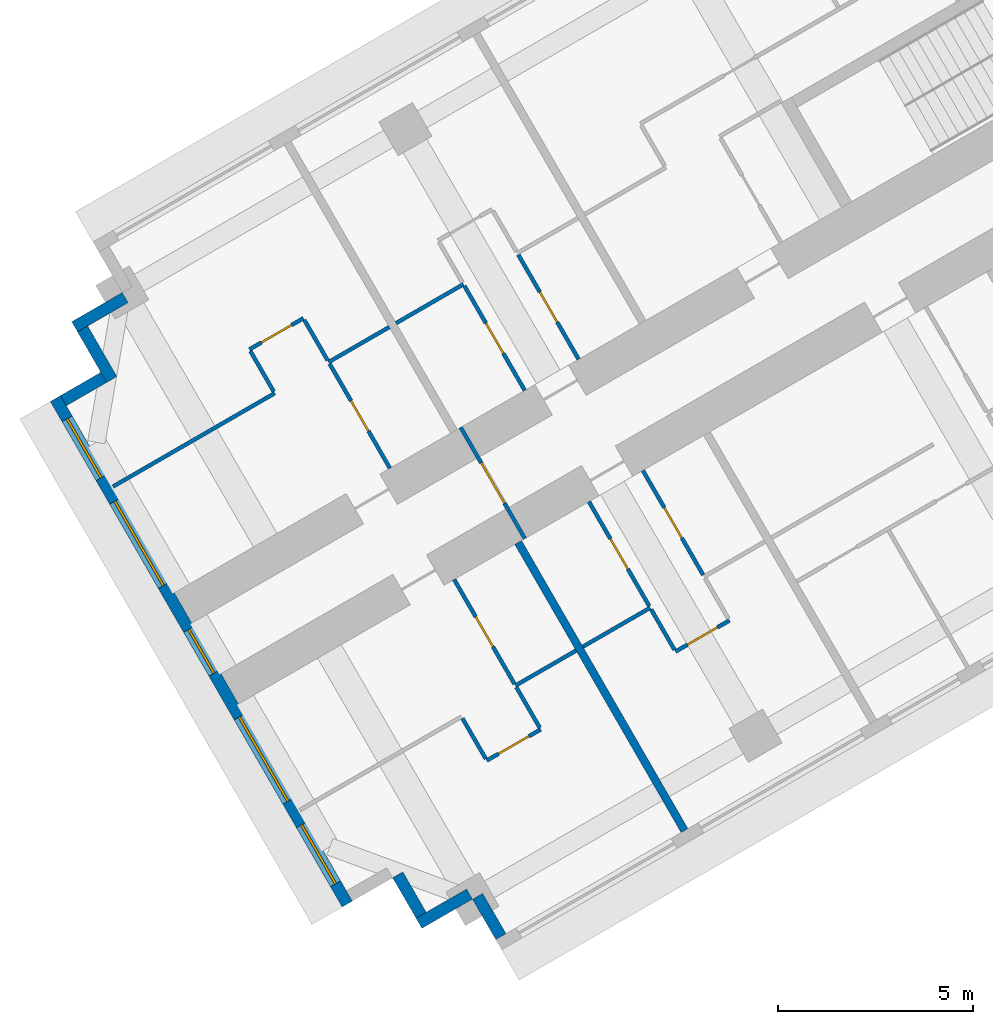
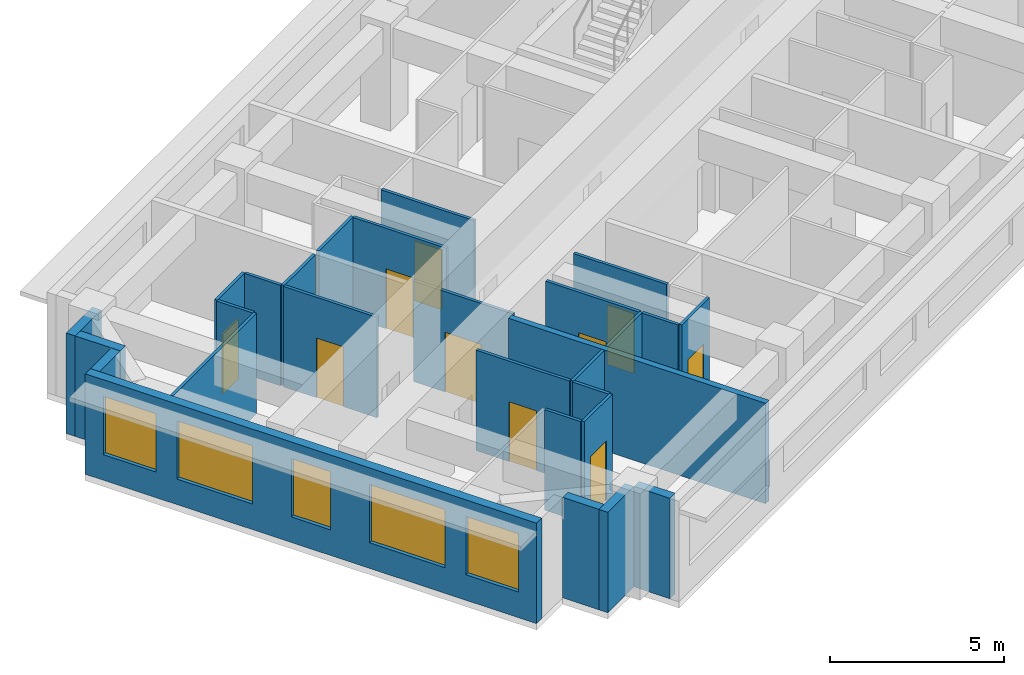
# One storey, part 3 of 15: 28 walls, 10 doors, 5 windows, 15 openings.
"""IFC4 building model written with IfcOpenShell, lengths in metres."""

from ifc_helpers import new_model, si_unit, direction, frame, frame_2d, origin, place, context, subcontext, project, spatial, rectangle, extrude, material, layer, layer_set, type_object, element, fill, save


model = new_model("IFC4")

# Units and contexts
model_context = context("Model", 3, precision=1e-05, world=origin(), true_north=direction((0.0, 1.0)))
body_context = subcontext(model_context, "Body", "Model", "MODEL_VIEW")
ifc_project = project(units=[si_unit("LENGTHUNIT", "METRE"), si_unit("AREAUNIT", "SQUARE_METRE"), si_unit("VOLUMEUNIT", "CUBIC_METRE"), si_unit("PLANEANGLEUNIT", "RADIAN"), si_unit("MASSUNIT", "GRAM", prefix="KILO")], contexts=[model_context])

# Site, building, storey
site_placement = place(None, origin())
site = spatial("IfcSite", under=ifc_project, at=site_placement, CompositionType="ELEMENT")
building_placement = place(site_placement, origin())
building = spatial("IfcBuilding", under=site, at=building_placement, Name="Impinga Residences", CompositionType="ELEMENT")
storey_placement = place(building_placement, frame((0.0, 0.0, 109.75)))
storey = spatial("IfcBuildingStorey", under=building, at=storey_placement, Name="L26", CompositionType="ELEMENT", Elevation=109.75)

# Wall, opening, door
ifc_material_1 = material(Name="Concrete blockwork", Category="masonry")
ifc_layer_1 = layer(ifc_material_1, 0.10009765625)
ifc_layer_set_1 = layer_set([ifc_layer_1], Name="CP1 core room partition, blockwork 100")
wall_type_1 = type_object("IfcWallType", Name="CP1 core room partition, blockwork 100", PredefinedType="PARTITIONING", material=ifc_layer_set_1)
wall_1_placement = place(storey_placement, frame((-33.150390625, -21.044677734375, 0.0), z_axis=(0.0, 0.0, 1.0), x_axis=(-0.50002983664, 0.866008176907, 0.0)))
wall_1 = element("IfcWall", 1, at=wall_1_placement, inside=storey, type_object=wall_type_1, Name="Core room partition, blockwork L26:W:PLB", PredefinedType="PARTITIONING", context=body_context, shape_type="SweptSolid", body=[
    extrude(rectangle(XDim=3.300048828125, YDim=0.10009765625, at=frame_2d((1.64990234375, 0.0))), origin(), (0.0, 0.0, 1.0), 3.530029296875),
])
opening_1_placement = place(wall_1_placement, frame((1.050048828125, 0.0, 0.0)))
opening_1 = element("IfcOpeningElement", 2, at=opening_1_placement, cuts=wall_1, Name="Opening D3", PredefinedType="OPENING", context=body_context, shape_type="SweptSolid", body=[
    extrude(rectangle(XDim=1.199951171875, YDim=2.10009765625, at=frame_2d((0.60009765625, 1.050048828125))), frame((0.0, 0.06005859375, 0.0), z_axis=(0.0, -1.0, 0.0), x_axis=(1.0, 0.0, 0.0)), (0.0, 0.0, 1.0), 0.1201171875),
])
ifc_material_2 = material(Name="Timber door set", Category="wood")
door_type_1 = type_object("IfcDoorType", Name="D3 room door, leaf and a half 1200x2100", OperationType="DOUBLE_SWING_LEFT", PredefinedType="DOOR", material=ifc_material_2)
door_1_placement = place(opening_1_placement, origin())
door_1 = element("IfcDoor", 3, at=door_1_placement, inside=storey, type_object=door_type_1, Name="Private lobby door W", OperationType="DOUBLE_SWING_LEFT", OverallHeight=2.10009765625, OverallWidth=1.199951171875, PredefinedType="DOOR", context=body_context, shape_type="SweptSolid", body=[
    extrude(rectangle(XDim=1.199951171875, YDim=2.10009765625, at=frame_2d((0.60009765625, 1.050048828125))), frame((0.0, 0.02490234375, 0.0), z_axis=(0.0, -1.0, 0.0), x_axis=(1.0, 0.0, 0.0)), (0.0, 0.0, 1.0), 0.050048828125),
])
fill(opening_1, door_1)

# Walls
ifc_material_3 = material(Name="Terracotta rainscreen on blockwork", Category="masonry")
ifc_layer_2 = layer(ifc_material_3, 0.300048828125)
ifc_layer_set_2 = layer_set([ifc_layer_2], Name="EW1 external wall, terracotta rainscreen on blockwork 300")
wall_type_2 = type_object("IfcWallType", Name="EW1 external wall, terracotta rainscreen on blockwork 300", PredefinedType="SOLIDWALL", material=ifc_layer_set_2)
wall_2_placement = place(storey_placement, frame((-33.7685546875, -31.274169921875, 0.0), z_axis=(0.0, 0.0, 1.0), x_axis=(-0.499940577336, 0.866059708757, 0.0)))
element("IfcWall", 4, at=wall_2_placement, inside=storey, type_object=wall_type_2, Name="External wall EW1 L26", PredefinedType="SOLIDWALL", context=body_context, shape_type="SweptSolid", body=[
    extrude(rectangle(XDim=1.195068359375, YDim=0.300048828125, at=frame_2d((0.59765625, 0.0))), origin(), (0.0, 0.0, 1.0), 3.530029296875),
])
wall_3_placement = place(storey_placement, frame((-34.573486328125, -30.18017578125, 0.0), z_axis=(0.0, 0.0, 1.0), x_axis=(-0.866031096941, -0.499990139034, 0.0)))
element("IfcWall", 5, at=wall_3_placement, inside=storey, type_object=wall_type_2, Name="External wall EW1 L26", PredefinedType="SOLIDWALL", context=body_context, shape_type="SweptSolid", body=[
    extrude(rectangle(XDim=1.5, YDim=0.300048828125, at=frame_2d((0.75, 0.0))), origin(), (0.0, 0.0, 1.0), 3.530029296875),
])
wall_4_placement = place(storey_placement, frame((-35.817626953125, -30.72509765625, 0.0), z_axis=(0.0, 0.0, 1.0), x_axis=(-0.499969057507, 0.866043267704, 0.0)))
element("IfcWall", 6, at=wall_4_placement, inside=storey, type_object=wall_type_2, Name="External wall EW1 L26", PredefinedType="SOLIDWALL", context=body_context, shape_type="SweptSolid", body=[
    extrude(rectangle(XDim=1.19970703125, YDim=0.300048828125, at=frame_2d((0.599853515625, 0.0))), origin(), (0.0, 0.0, 1.0), 3.530029296875),
])

# Wall, openings, windows
wall_5_placement = place(storey_placement, frame((-37.716552734375, -30.43603515625, 0.0), z_axis=(0.0, 0.0, 1.0), x_axis=(-0.499997186618, 0.866027028085, 0.0)))
wall_5 = element("IfcWall", 7, at=wall_5_placement, inside=storey, type_object=wall_type_2, Name="External wall EW1 L26", PredefinedType="SOLIDWALL", context=body_context, shape_type="SweptSolid", body=[
    extrude(rectangle(XDim=15.0, YDim=0.300048828125, at=frame_2d((7.5, 0.0))), origin(), (0.0, 0.0, 1.0), 3.530029296875),
])
opening_2_placement = place(wall_5_placement, frame((0.60009765625, 0.0, 0.89990234375)))
opening_2 = element("IfcOpeningElement", 8, at=opening_2_placement, cuts=wall_5, Name="Opening W1", PredefinedType="OPENING", context=body_context, shape_type="SweptSolid", body=[
    extrude(rectangle(XDim=1.75, YDim=2.050048828125, at=frame_2d((0.875, 1.02490234375))), frame((0.0, 0.159912109375, 0.0), z_axis=(0.0, -1.0, 0.0), x_axis=(1.0, 0.0, 0.0)), (0.0, 0.0, 1.0), 0.320068359375),
])
opening_3_placement = place(wall_5_placement, frame((3.050048828125, 0.0, 0.89990234375)))
opening_3 = element("IfcOpeningElement", 9, at=opening_3_placement, cuts=wall_5, Name="Opening W2", PredefinedType="OPENING", context=body_context, shape_type="SweptSolid", body=[
    extrude(rectangle(XDim=2.5, YDim=2.050048828125, at=frame_2d((1.25, 1.02490234375))), frame((0.0, 0.159912109375, 0.0), z_axis=(0.0, -1.0, 0.0), x_axis=(1.0, 0.0, 0.0)), (0.0, 0.0, 1.0), 0.320068359375),
])
opening_4_placement = place(wall_5_placement, frame((6.85009765625, 0.0, 0.89990234375)))
opening_4 = element("IfcOpeningElement", 10, at=opening_4_placement, cuts=wall_5, Name="Opening W17", PredefinedType="OPENING", context=body_context, shape_type="SweptSolid", body=[
    extrude(rectangle(XDim=1.300048828125, YDim=2.050048828125, at=frame_2d((0.64990234375, 1.02490234375))), frame((0.0, 0.159912109375, 0.0), z_axis=(0.0, -1.0, 0.0), x_axis=(1.0, 0.0, 0.0)), (0.0, 0.0, 1.0), 0.320068359375),
])
opening_5_placement = place(wall_5_placement, frame((9.449951171875, 0.0, 0.89990234375)))
opening_5 = element("IfcOpeningElement", 11, at=opening_5_placement, cuts=wall_5, Name="Opening W2", PredefinedType="OPENING", context=body_context, shape_type="SweptSolid", body=[
    extrude(rectangle(XDim=2.5, YDim=2.050048828125, at=frame_2d((1.25, 1.02490234375))), frame((0.0, 0.159912109375, 0.0), z_axis=(0.0, -1.0, 0.0), x_axis=(1.0, 0.0, 0.0)), (0.0, 0.0, 1.0), 0.320068359375),
])
opening_6_placement = place(wall_5_placement, frame((12.64990234375, 0.0, 0.89990234375)))
opening_6 = element("IfcOpeningElement", 12, at=opening_6_placement, cuts=wall_5, Name="Opening W1", PredefinedType="OPENING", context=body_context, shape_type="SweptSolid", body=[
    extrude(rectangle(XDim=1.75, YDim=2.050048828125, at=frame_2d((0.875, 1.02490234375))), frame((0.0, 0.159912109375, 0.0), z_axis=(0.0, -1.0, 0.0), x_axis=(1.0, 0.0, 0.0)), (0.0, 0.0, 1.0), 0.320068359375),
])
ifc_material_4 = material(Name="Aluminium window, clear double glazing", Category="aluminium")
window_type_1 = type_object("IfcWindowType", Name="W1 ribbon window 1750x2050", PartitioningType="SINGLE_PANEL", PredefinedType="WINDOW", material=ifc_material_4)
window_1_placement = place(opening_2_placement, origin())
window_1 = element("IfcWindow", 13, at=window_1_placement, inside=storey, type_object=window_type_1, Name="Window L26", OverallHeight=2.050048828125, OverallWidth=1.75, PartitioningType="SINGLE_PANEL", PredefinedType="WINDOW", context=body_context, shape_type="SweptSolid", body=[
    extrude(rectangle(XDim=1.75, YDim=2.050048828125, at=frame_2d((0.875, 1.02490234375))), frame((0.0, 0.030029296875, 0.0), z_axis=(0.0, -1.0, 0.0), x_axis=(1.0, 0.0, 0.0)), (0.0, 0.0, 1.0), 0.06005859375),
])
fill(opening_2, window_1)
window_2_placement = place(opening_6_placement, origin())
window_2 = element("IfcWindow", 14, at=window_2_placement, inside=storey, type_object=window_type_1, Name="Window L26", OverallHeight=2.050048828125, OverallWidth=1.75, PartitioningType="SINGLE_PANEL", PredefinedType="WINDOW", context=body_context, shape_type="SweptSolid", body=[
    extrude(rectangle(XDim=1.75, YDim=2.050048828125, at=frame_2d((0.875, 1.02490234375))), frame((0.0, 0.030029296875, 0.0), z_axis=(0.0, -1.0, 0.0), x_axis=(1.0, 0.0, 0.0)), (0.0, 0.0, 1.0), 0.06005859375),
])
fill(opening_6, window_2)
window_type_2 = type_object("IfcWindowType", Name="W17 ribbon window 1300x2050", PartitioningType="SINGLE_PANEL", PredefinedType="WINDOW", material=ifc_material_4)
window_3_placement = place(opening_4_placement, origin())
window_3 = element("IfcWindow", 15, at=window_3_placement, inside=storey, type_object=window_type_2, Name="Window L26", OverallHeight=2.050048828125, OverallWidth=1.300048828125, PartitioningType="SINGLE_PANEL", PredefinedType="WINDOW", context=body_context, shape_type="SweptSolid", body=[
    extrude(rectangle(XDim=1.300048828125, YDim=2.050048828125, at=frame_2d((0.64990234375, 1.02490234375))), frame((0.0, 0.030029296875, 0.0), z_axis=(0.0, -1.0, 0.0), x_axis=(1.0, 0.0, 0.0)), (0.0, 0.0, 1.0), 0.06005859375),
])
fill(opening_4, window_3)
window_type_3 = type_object("IfcWindowType", Name="W2 ribbon window 2500x2050", PartitioningType="SINGLE_PANEL", PredefinedType="WINDOW", material=ifc_material_4)
window_4_placement = place(opening_3_placement, origin())
window_4 = element("IfcWindow", 16, at=window_4_placement, inside=storey, type_object=window_type_3, Name="Window L26", OverallHeight=2.050048828125, OverallWidth=2.5, PartitioningType="SINGLE_PANEL", PredefinedType="WINDOW", context=body_context, shape_type="SweptSolid", body=[
    extrude(rectangle(XDim=2.5, YDim=2.050048828125, at=frame_2d((1.25, 1.02490234375))), frame((0.0, 0.030029296875, 0.0), z_axis=(0.0, -1.0, 0.0), x_axis=(1.0, 0.0, 0.0)), (0.0, 0.0, 1.0), 0.06005859375),
])
fill(opening_3, window_4)
window_5_placement = place(opening_5_placement, origin())
window_5 = element("IfcWindow", 17, at=window_5_placement, inside=storey, type_object=window_type_3, Name="Window L26", OverallHeight=2.050048828125, OverallWidth=2.5, PartitioningType="SINGLE_PANEL", PredefinedType="WINDOW", context=body_context, shape_type="SweptSolid", body=[
    extrude(rectangle(XDim=2.5, YDim=2.050048828125, at=frame_2d((1.25, 1.02490234375))), frame((0.0, 0.030029296875, 0.0), z_axis=(0.0, -1.0, 0.0), x_axis=(1.0, 0.0, 0.0)), (0.0, 0.0, 1.0), 0.06005859375),
])
fill(opening_5, window_5)

# Walls
wall_6_placement = place(storey_placement, frame((-45.01171875, -17.50048828125, 0.0), z_axis=(0.0, 0.0, 1.0), x_axis=(0.866059708757, 0.499940577336, 0.0)))
element("IfcWall", 18, at=wall_6_placement, inside=storey, type_object=wall_type_2, Name="External wall EW1 L26", PredefinedType="SOLIDWALL", context=body_context, shape_type="SweptSolid", body=[
    extrude(rectangle(XDim=1.195068359375, YDim=0.300048828125, at=frame_2d((0.59765625, 0.0))), origin(), (0.0, 0.0, 1.0), 3.530029296875),
])
for number, where, z_axis, x_axis, name in (
    (19, (-43.767578125, -16.955322265625, 0.0), (0.0, 0.0, 1.0), (-0.499990139034, 0.866031096941, 0.0), "External wall EW1 L26"),
    (20, (-44.722412109375, -15.6015625, 0.0), (0.0, 0.0, 1.0), (0.866031096941, 0.499990139034, 0.0), "External wall EW1 L26"),
):
    element("IfcWall", number, at=place(storey_placement, frame(where, z_axis=z_axis, x_axis=x_axis)), inside=storey, type_object=wall_type_2, Name=name, PredefinedType="SOLIDWALL", context=body_context, shape_type="SweptSolid", body=[
        extrude(rectangle(XDim=1.5, YDim=0.300048828125, at=frame_2d((0.75, 0.0))), origin(), (0.0, 0.0, 1.0), 3.530029296875),
    ])
ifc_material_5 = material(Name="Gypsum board on steel studs", Category="steel")
ifc_layer_3 = layer(ifc_material_5, 0.10009765625)
ifc_layer_set_3 = layer_set([ifc_layer_3], Name="Gypsum board on steel studs")
wall_type_3 = type_object("IfcWallType", Name="IP1 partition 100", PredefinedType="PARTITIONING", material=ifc_layer_set_3)
wall_7_placement = place(storey_placement, frame((-29.93017578125, -22.82275390625, 0.0), z_axis=(0.0, 0.0, 1.0), x_axis=(-0.866010750942, -0.50002537861, 0.0)))
element("IfcWall", 21, at=wall_7_placement, inside=storey, type_object=wall_type_3, Name="Partition L26-WA4:DIV1", PredefinedType="PARTITIONING", context=body_context, shape_type="SweptSolid", body=[
    extrude(rectangle(XDim=2.0, YDim=0.10009765625, at=frame_2d((1.0, 0.0))), origin(), (0.0, 0.0, 1.0), 3.530029296875),
])

# Wall, opening, door
wall_8_placement = place(storey_placement, frame((-27.89453125, -23.1484375, 0.0), z_axis=(0.0, 0.0, 1.0), x_axis=(-0.865989903783, -0.500061482766, 0.0)))
wall_8 = element("IfcWall", 22, at=wall_8_placement, inside=storey, type_object=wall_type_3, Name="Partition L26-WA4:STRIP", PredefinedType="PARTITIONING", context=body_context, shape_type="SweptSolid", body=[
    extrude(rectangle(XDim=1.599853515625, YDim=0.10009765625, at=frame_2d((0.7998046875, 0.0))), origin(), (0.0, 0.0, 1.0), 3.530029296875),
])
opening_7_placement = place(wall_8_placement, frame((0.35009765625, 0.0, 0.0)))
opening_7 = element("IfcOpeningElement", 23, at=opening_7_placement, cuts=wall_8, Name="Opening D2", PredefinedType="OPENING", context=body_context, shape_type="SweptSolid", body=[
    extrude(rectangle(XDim=0.89990234375, YDim=2.10009765625, at=frame_2d((0.449951171875, 1.050048828125))), frame((0.0, 0.06005859375, 0.0), z_axis=(0.0, -1.0, 0.0), x_axis=(1.0, 0.0, 0.0)), (0.0, 0.0, 1.0), 0.1201171875),
])
door_type_2 = type_object("IfcDoorType", Name="D2 internal door 900x2100", OperationType="SINGLE_SWING_LEFT", PredefinedType="DOOR", material=ifc_material_2)
door_2_placement = place(opening_7_placement, origin())
door_2 = element("IfcDoor", 24, at=door_2_placement, inside=storey, type_object=door_type_2, Name="Apartment L26-WA4 room door", OperationType="SINGLE_SWING_LEFT", OverallHeight=2.10009765625, OverallWidth=0.89990234375, PredefinedType="DOOR", context=body_context, shape_type="SweptSolid", body=[
    extrude(rectangle(XDim=0.89990234375, YDim=2.10009765625, at=frame_2d((0.449951171875, 1.050048828125))), frame((0.0, 0.02490234375, 0.0), z_axis=(0.0, -1.0, 0.0), x_axis=(1.0, 0.0, 0.0)), (0.0, 0.0, 1.0), 0.050048828125),
])
fill(opening_7, door_2)

# Wall
wall_9_placement = place(storey_placement, frame((-29.905029296875, -22.865966796875, 0.0), z_axis=(0.0, 0.0, 1.0), x_axis=(0.499880961361, -0.866094119867, 0.0)))
element("IfcWall", 25, at=wall_9_placement, inside=storey, type_object=wall_type_3, Name="Partition L26-WA4:SE1", PredefinedType="PARTITIONING", context=body_context, shape_type="SweptSolid", body=[
    extrude(rectangle(XDim=1.199951171875, YDim=0.10009765625, at=frame_2d((0.60009765625, 0.0))), origin(), (0.0, 0.0, 1.0), 3.530029296875),
])

# Wall, opening, door
wall_10_placement = place(storey_placement, frame((-30.119384765625, -19.294677734375, 0.0), z_axis=(0.0, 0.0, 1.0), x_axis=(0.49999285859, -0.86602952684, 0.0)))
wall_10 = element("IfcWall", 26, at=wall_10_placement, inside=storey, type_object=wall_type_3, Name="Partition L26-WA4:IB1", PredefinedType="PARTITIONING", context=body_context, shape_type="SweptSolid", body=[
    extrude(rectangle(XDim=3.10009765625, YDim=0.10009765625, at=frame_2d((1.550048828125, 0.0))), origin(), (0.0, 0.0, 1.0), 3.530029296875),
])
opening_8_placement = place(wall_10_placement, frame((1.10009765625, 0.0, 0.0)))
opening_8 = element("IfcOpeningElement", 27, at=opening_8_placement, cuts=wall_10, Name="Opening D2", PredefinedType="OPENING", context=body_context, shape_type="SweptSolid", body=[
    extrude(rectangle(XDim=0.89990234375, YDim=2.10009765625, at=frame_2d((0.449951171875, 1.050048828125))), frame((0.0, 0.06005859375, 0.0), z_axis=(0.0, -1.0, 0.0), x_axis=(1.0, 0.0, 0.0)), (0.0, 0.0, 1.0), 0.1201171875),
])
door_3_placement = place(opening_8_placement, origin())
door_3 = element("IfcDoor", 28, at=door_3_placement, inside=storey, type_object=door_type_2, Name="Apartment L26-WA4 bathroom door", OperationType="SINGLE_SWING_LEFT", OverallHeight=2.10009765625, OverallWidth=0.89990234375, PredefinedType="DOOR", context=body_context, shape_type="SweptSolid", body=[
    extrude(rectangle(XDim=0.89990234375, YDim=2.10009765625, at=frame_2d((0.449951171875, 1.050048828125))), frame((0.0, 0.02490234375, 0.0), z_axis=(0.0, -1.0, 0.0), x_axis=(1.0, 0.0, 0.0)), (0.0, 0.0, 1.0), 0.050048828125),
])
fill(opening_8, door_3)

wall_11_placement = place(storey_placement, frame((-31.505126953125, -20.0947265625, 0.0), z_axis=(0.0, 0.0, 1.0), x_axis=(0.500026960575, -0.86600983753, 0.0)))
wall_11 = element("IfcWall", 29, at=wall_11_placement, inside=storey, type_object=wall_type_3, Name="Partition L26-WA4:IB2", PredefinedType="PARTITIONING", context=body_context, shape_type="SweptSolid", body=[
    extrude(rectangle(XDim=3.099853515625, YDim=0.10009765625, at=frame_2d((1.5498046875, 0.0))), origin(), (0.0, 0.0, 1.0), 3.530029296875),
])
opening_9_placement = place(wall_11_placement, frame((1.10009765625, 0.0, 0.0)))
opening_9 = element("IfcOpeningElement", 30, at=opening_9_placement, cuts=wall_11, Name="Opening D2", PredefinedType="OPENING", context=body_context, shape_type="SweptSolid", body=[
    extrude(rectangle(XDim=0.89990234375, YDim=2.10009765625, at=frame_2d((0.449951171875, 1.050048828125))), frame((0.0, 0.06005859375, 0.0), z_axis=(0.0, -1.0, 0.0), x_axis=(1.0, 0.0, 0.0)), (0.0, 0.0, 1.0), 0.1201171875),
])
door_4_placement = place(opening_9_placement, origin())
door_4 = element("IfcDoor", 31, at=door_4_placement, inside=storey, type_object=door_type_2, Name="Apartment L26-WA4 WC door", OperationType="SINGLE_SWING_LEFT", OverallHeight=2.10009765625, OverallWidth=0.89990234375, PredefinedType="DOOR", context=body_context, shape_type="SweptSolid", body=[
    extrude(rectangle(XDim=0.89990234375, YDim=2.10009765625, at=frame_2d((0.449951171875, 1.050048828125))), frame((0.0, 0.02490234375, 0.0), z_axis=(0.0, -1.0, 0.0), x_axis=(1.0, 0.0, 0.0)), (0.0, 0.0, 1.0), 0.050048828125),
])
fill(opening_9, door_4)

# Wall
wall_12_placement = place(storey_placement, frame((-31.835205078125, -23.922607421875, 0.0), z_axis=(0.0, 0.0, 1.0), x_axis=(-0.865989075817, -0.500062916607, 0.0)))
element("IfcWall", 32, at=wall_12_placement, inside=storey, type_object=wall_type_3, Name="Partition L26-WA5:DIV0", PredefinedType="PARTITIONING", context=body_context, shape_type="SweptSolid", body=[
    extrude(rectangle(XDim=1.800048828125, YDim=0.10009765625, at=frame_2d((0.89990234375, 0.0))), origin(), (0.0, 0.0, 1.0), 3.530029296875),
])

# Wall, opening, door
wall_13_placement = place(storey_placement, frame((-32.744140625, -25.948486328125, 0.0), z_axis=(0.0, 0.0, 1.0), x_axis=(-0.866028054938, -0.499995408039, 0.0)))
wall_13 = element("IfcWall", 33, at=wall_13_placement, inside=storey, type_object=wall_type_3, Name="Partition L26-WA5:STRIP", PredefinedType="PARTITIONING", context=body_context, shape_type="SweptSolid", body=[
    extrude(rectangle(XDim=1.60009765625, YDim=0.10009765625, at=frame_2d((0.800048828125, 0.0))), origin(), (0.0, 0.0, 1.0), 3.530029296875),
])
opening_10_placement = place(wall_13_placement, frame((0.35009765625, 0.0, 0.0)))
opening_10 = element("IfcOpeningElement", 34, at=opening_10_placement, cuts=wall_13, Name="Opening D2", PredefinedType="OPENING", context=body_context, shape_type="SweptSolid", body=[
    extrude(rectangle(XDim=0.89990234375, YDim=2.10009765625, at=frame_2d((0.449951171875, 1.050048828125))), frame((0.0, 0.06005859375, 0.0), z_axis=(0.0, -1.0, 0.0), x_axis=(1.0, 0.0, 0.0)), (0.0, 0.0, 1.0), 0.1201171875),
])
door_5_placement = place(opening_10_placement, origin())
door_5 = element("IfcDoor", 35, at=door_5_placement, inside=storey, type_object=door_type_2, Name="Apartment L26-WA5 room door", OperationType="SINGLE_SWING_LEFT", OverallHeight=2.10009765625, OverallWidth=0.89990234375, PredefinedType="DOOR", context=body_context, shape_type="SweptSolid", body=[
    extrude(rectangle(XDim=0.89990234375, YDim=2.10009765625, at=frame_2d((0.449951171875, 1.050048828125))), frame((0.0, 0.02490234375, 0.0), z_axis=(0.0, -1.0, 0.0), x_axis=(1.0, 0.0, 0.0)), (0.0, 0.0, 1.0), 0.050048828125),
])
fill(opening_10, door_5)

# Walls
for number, where, z_axis, x_axis, name in (
    (36, (-33.369140625, -24.865966796875, 0.0), (0.0, 0.0, 1.0), (0.500033551112, -0.866006032174, 0.0), "Partition L26-WA5:SE0"),
    (37, (-34.7548828125, -25.666015625, 0.0), (0.0, 0.0, 1.0), (0.500033551112, -0.866006032174, 0.0), "Partition L26-WA5:SE1"),
):
    element("IfcWall", number, at=place(storey_placement, frame(where, z_axis=z_axis, x_axis=x_axis)), inside=storey, type_object=wall_type_3, Name=name, PredefinedType="PARTITIONING", context=body_context, shape_type="SweptSolid", body=[
        extrude(rectangle(XDim=1.2001953125, YDim=0.10009765625, at=frame_2d((0.60009765625, 0.0))), origin(), (0.0, 0.0, 1.0), 3.530029296875),
    ])

# Wall, opening, door
wall_14_placement = place(storey_placement, frame((-34.96923828125, -22.0947265625, 0.0), z_axis=(0.0, 0.0, 1.0), x_axis=(0.500026960575, -0.86600983753, 0.0)))
wall_14 = element("IfcWall", 38, at=wall_14_placement, inside=storey, type_object=wall_type_3, Name="Partition L26-WA5:IB1", PredefinedType="PARTITIONING", context=body_context, shape_type="SweptSolid", body=[
    extrude(rectangle(XDim=3.099853515625, YDim=0.10009765625, at=frame_2d((1.5498046875, 0.0))), origin(), (0.0, 0.0, 1.0), 3.530029296875),
])
opening_11_placement = place(wall_14_placement, frame((1.10009765625, 0.0, 0.0)))
opening_11 = element("IfcOpeningElement", 39, at=opening_11_placement, cuts=wall_14, Name="Opening D2", PredefinedType="OPENING", context=body_context, shape_type="SweptSolid", body=[
    extrude(rectangle(XDim=0.89990234375, YDim=2.10009765625, at=frame_2d((0.449951171875, 1.050048828125))), frame((0.0, 0.06005859375, 0.0), z_axis=(0.0, -1.0, 0.0), x_axis=(1.0, 0.0, 0.0)), (0.0, 0.0, 1.0), 0.1201171875),
])
door_6_placement = place(opening_11_placement, origin())
door_6 = element("IfcDoor", 40, at=door_6_placement, inside=storey, type_object=door_type_2, Name="Apartment L26-WA5 bathroom door", OperationType="SINGLE_SWING_LEFT", OverallHeight=2.10009765625, OverallWidth=0.89990234375, PredefinedType="DOOR", context=body_context, shape_type="SweptSolid", body=[
    extrude(rectangle(XDim=0.89990234375, YDim=2.10009765625, at=frame_2d((0.449951171875, 1.050048828125))), frame((0.0, 0.02490234375, 0.0), z_axis=(0.0, -1.0, 0.0), x_axis=(1.0, 0.0, 0.0)), (0.0, 0.0, 1.0), 0.050048828125),
])
fill(opening_11, door_6)

# Wall
wall_15_placement = place(storey_placement, frame((-34.72998046875, -14.5087890625, 0.0), z_axis=(0.0, 0.0, 1.0), x_axis=(-0.866041268327, -0.499972520799, 0.0)))
element("IfcWall", 41, at=wall_15_placement, inside=storey, type_object=wall_type_3, Name="Partition L26-WF3:DIV1", PredefinedType="PARTITIONING", context=body_context, shape_type="SweptSolid", body=[
    extrude(rectangle(XDim=2.0, YDim=0.10009765625, at=frame_2d((1.0, 0.0))), origin(), (0.0, 0.0, 1.0), 3.530029296875),
])

# Wall, opening, door
wall_16_placement = place(storey_placement, frame((-31.76953125, -16.436767578125, 0.0), z_axis=(0.0, 0.0, 1.0), x_axis=(-0.499967891604, 0.866043940782, 0.0)))
wall_16 = element("IfcWall", 42, at=wall_16_placement, inside=storey, type_object=wall_type_3, Name="Partition L26-WF3:IB1", PredefinedType="PARTITIONING", context=body_context, shape_type="SweptSolid", body=[
    extrude(rectangle(XDim=3.099853515625, YDim=0.10009765625, at=frame_2d((1.5498046875, 0.0))), origin(), (0.0, 0.0, 1.0), 3.530029296875),
])
opening_12_placement = place(wall_16_placement, frame((1.10009765625, 0.0, 0.0)))
opening_12 = element("IfcOpeningElement", 43, at=opening_12_placement, cuts=wall_16, Name="Opening D2", PredefinedType="OPENING", context=body_context, shape_type="SweptSolid", body=[
    extrude(rectangle(XDim=0.89990234375, YDim=2.10009765625, at=frame_2d((0.449951171875, 1.050048828125))), frame((0.0, 0.06005859375, 0.0), z_axis=(0.0, -1.0, 0.0), x_axis=(1.0, 0.0, 0.0)), (0.0, 0.0, 1.0), 0.1201171875),
])
door_7_placement = place(opening_12_placement, origin())
door_7 = element("IfcDoor", 44, at=door_7_placement, inside=storey, type_object=door_type_2, Name="Apartment L26-WF3 bathroom door", OperationType="SINGLE_SWING_LEFT", OverallHeight=2.10009765625, OverallWidth=0.89990234375, PredefinedType="DOOR", context=body_context, shape_type="SweptSolid", body=[
    extrude(rectangle(XDim=0.89990234375, YDim=2.10009765625, at=frame_2d((0.449951171875, 1.050048828125))), frame((0.0, 0.02490234375, 0.0), z_axis=(0.0, -1.0, 0.0), x_axis=(1.0, 0.0, 0.0)), (0.0, 0.0, 1.0), 0.050048828125),
])
fill(opening_12, door_7)

wall_17_placement = place(storey_placement, frame((-33.155029296875, -17.23681640625, 0.0), z_axis=(0.0, 0.0, 1.0), x_axis=(-0.500026960575, 0.86600983753, 0.0)))
wall_17 = element("IfcWall", 45, at=wall_17_placement, inside=storey, type_object=wall_type_3, Name="Partition L26-WF3:IB2", PredefinedType="PARTITIONING", context=body_context, shape_type="SweptSolid", body=[
    extrude(rectangle(XDim=3.099853515625, YDim=0.10009765625, at=frame_2d((1.5498046875, 0.0))), origin(), (0.0, 0.0, 1.0), 3.530029296875),
])
opening_13_placement = place(wall_17_placement, frame((1.10009765625, 0.0, 0.0)))
opening_13 = element("IfcOpeningElement", 46, at=opening_13_placement, cuts=wall_17, Name="Opening D2", PredefinedType="OPENING", context=body_context, shape_type="SweptSolid", body=[
    extrude(rectangle(XDim=0.89990234375, YDim=2.10009765625, at=frame_2d((0.449951171875, 1.050048828125))), frame((0.0, 0.06005859375, 0.0), z_axis=(0.0, -1.0, 0.0), x_axis=(1.0, 0.0, 0.0)), (0.0, 0.0, 1.0), 0.1201171875),
])
door_8_placement = place(opening_13_placement, origin())
door_8 = element("IfcDoor", 47, at=door_8_placement, inside=storey, type_object=door_type_2, Name="Apartment L26-WF3 WC door", OperationType="SINGLE_SWING_LEFT", OverallHeight=2.10009765625, OverallWidth=0.89990234375, PredefinedType="DOOR", context=body_context, shape_type="SweptSolid", body=[
    extrude(rectangle(XDim=0.89990234375, YDim=2.10009765625, at=frame_2d((0.449951171875, 1.050048828125))), frame((0.0, 0.02490234375, 0.0), z_axis=(0.0, -1.0, 0.0), x_axis=(1.0, 0.0, 0.0)), (0.0, 0.0, 1.0), 0.050048828125),
])
fill(opening_13, door_8)

# Walls
wall_18_placement = place(storey_placement, frame((-36.63525390625, -15.60888671875, 0.0), z_axis=(0.0, 0.0, 1.0), x_axis=(-0.866047807691, -0.499961193289, 0.0)))
element("IfcWall", 48, at=wall_18_placement, inside=storey, type_object=wall_type_3, Name="Partition L26-WF4:DIV0", PredefinedType="PARTITIONING", context=body_context, shape_type="SweptSolid", body=[
    extrude(rectangle(XDim=1.800048828125, YDim=0.10009765625, at=frame_2d((0.89990234375, 0.0))), origin(), (0.0, 0.0, 1.0), 3.530029296875),
])
wall_19_placement = place(storey_placement, frame((-39.579833984375, -17.308837890625, 0.0), z_axis=(0.0, 0.0, 1.0), x_axis=(-0.866037363387, -0.499979284789, 0.0)))
element("IfcWall", 49, at=wall_19_placement, inside=storey, type_object=wall_type_3, Name="Partition L26-WF4:DIV1", PredefinedType="PARTITIONING", context=body_context, shape_type="SweptSolid", body=[
    extrude(rectangle(XDim=4.800048828125, YDim=0.10009765625, at=frame_2d((2.39990234375, 0.0))), origin(), (0.0, 0.0, 1.0), 3.530029296875),
])

# Wall, opening, door
wall_20_placement = place(storey_placement, frame((-38.84423828125, -15.383056640625, 0.0), z_axis=(0.0, 0.0, 1.0), x_axis=(-0.865989903783, -0.500061482766, 0.0)))
wall_20 = element("IfcWall", 50, at=wall_20_placement, inside=storey, type_object=wall_type_3, Name="Partition L26-WF4:STRIP", PredefinedType="PARTITIONING", context=body_context, shape_type="SweptSolid", body=[
    extrude(rectangle(XDim=1.599853515625, YDim=0.10009765625, at=frame_2d((0.7998046875, 0.0))), origin(), (0.0, 0.0, 1.0), 3.530029296875),
])
opening_14_placement = place(wall_20_placement, frame((0.35009765625, 0.0, 0.0)))
opening_14 = element("IfcOpeningElement", 51, at=opening_14_placement, cuts=wall_20, Name="Opening D2", PredefinedType="OPENING", context=body_context, shape_type="SweptSolid", body=[
    extrude(rectangle(XDim=0.89990234375, YDim=2.10009765625, at=frame_2d((0.449951171875, 1.050048828125))), frame((0.0, 0.06005859375, 0.0), z_axis=(0.0, -1.0, 0.0), x_axis=(1.0, 0.0, 0.0)), (0.0, 0.0, 1.0), 0.1201171875),
])
door_9_placement = place(opening_14_placement, origin())
door_9 = element("IfcDoor", 52, at=door_9_placement, inside=storey, type_object=door_type_2, Name="Apartment L26-WF4 room door", OperationType="SINGLE_SWING_LEFT", OverallHeight=2.10009765625, OverallWidth=0.89990234375, PredefinedType="DOOR", context=body_context, shape_type="SweptSolid", body=[
    extrude(rectangle(XDim=0.89990234375, YDim=2.10009765625, at=frame_2d((0.449951171875, 1.050048828125))), frame((0.0, 0.02490234375, 0.0), z_axis=(0.0, -1.0, 0.0), x_axis=(1.0, 0.0, 0.0)), (0.0, 0.0, 1.0), 0.050048828125),
])
fill(opening_14, door_9)

# Walls
wall_21_placement = place(storey_placement, frame((-38.21923828125, -16.465576171875, 0.0), z_axis=(0.0, 0.0, 1.0), x_axis=(-0.499880961361, 0.866094119867, 0.0)))
element("IfcWall", 53, at=wall_21_placement, inside=storey, type_object=wall_type_3, Name="Partition L26-WF4:SE0", PredefinedType="PARTITIONING", context=body_context, shape_type="SweptSolid", body=[
    extrude(rectangle(XDim=1.199951171875, YDim=0.10009765625, at=frame_2d((0.60009765625, 0.0))), origin(), (0.0, 0.0, 1.0), 3.530029296875),
])
wall_22_placement = place(storey_placement, frame((-39.604736328125, -17.265625, 0.0), z_axis=(0.0, 0.0, 1.0), x_axis=(-0.500033551112, 0.866006032174, 0.0)))
element("IfcWall", 54, at=wall_22_placement, inside=storey, type_object=wall_type_3, Name="Partition L26-WF4:SE1", PredefinedType="PARTITIONING", context=body_context, shape_type="SweptSolid", body=[
    extrude(rectangle(XDim=1.2001953125, YDim=0.10009765625, at=frame_2d((0.60009765625, 0.0))), origin(), (0.0, 0.0, 1.0), 3.530029296875),
])

# Wall, opening, door
wall_23_placement = place(storey_placement, frame((-36.619140625, -19.23681640625, 0.0), z_axis=(0.0, 0.0, 1.0), x_axis=(-0.500026960575, 0.86600983753, 0.0)))
wall_23 = element("IfcWall", 55, at=wall_23_placement, inside=storey, type_object=wall_type_3, Name="Partition L26-WF4:IB1", PredefinedType="PARTITIONING", context=body_context, shape_type="SweptSolid", body=[
    extrude(rectangle(XDim=3.099853515625, YDim=0.10009765625, at=frame_2d((1.5498046875, 0.0))), origin(), (0.0, 0.0, 1.0), 3.530029296875),
])
opening_15_placement = place(wall_23_placement, frame((1.10009765625, 0.0, 0.0)))
opening_15 = element("IfcOpeningElement", 56, at=opening_15_placement, cuts=wall_23, Name="Opening D2", PredefinedType="OPENING", context=body_context, shape_type="SweptSolid", body=[
    extrude(rectangle(XDim=0.89990234375, YDim=2.10009765625, at=frame_2d((0.449951171875, 1.050048828125))), frame((0.0, 0.06005859375, 0.0), z_axis=(0.0, -1.0, 0.0), x_axis=(1.0, 0.0, 0.0)), (0.0, 0.0, 1.0), 0.1201171875),
])
door_10_placement = place(opening_15_placement, origin())
door_10 = element("IfcDoor", 57, at=door_10_placement, inside=storey, type_object=door_type_2, Name="Apartment L26-WF4 bathroom door", OperationType="SINGLE_SWING_LEFT", OverallHeight=2.10009765625, OverallWidth=0.89990234375, PredefinedType="DOOR", context=body_context, shape_type="SweptSolid", body=[
    extrude(rectangle(XDim=0.89990234375, YDim=2.10009765625, at=frame_2d((0.449951171875, 1.050048828125))), frame((0.0, 0.02490234375, 0.0), z_axis=(0.0, -1.0, 0.0), x_axis=(1.0, 0.0, 0.0)), (0.0, 0.0, 1.0), 0.050048828125),
])
fill(opening_15, door_10)

# Wall
ifc_layer_4 = layer(ifc_material_1, 0.199951171875)
ifc_layer_set_4 = layer_set([ifc_layer_4], Name="PW1 party wall between apartments 200")
wall_type_4 = type_object("IfcWallType", Name="PW1 party wall between apartments 200", PredefinedType="SOLIDWALL", material=ifc_layer_set_4)
wall_24_placement = place(storey_placement, frame((-33.32373046875, -21.144775390625, 0.0), z_axis=(0.0, 0.0, 1.0), x_axis=(0.499990227581, -0.86603104582, 0.0)))
element("IfcWall", 58, at=wall_24_placement, inside=storey, type_object=wall_type_4, Name="Party wall between apartments L26-WA4:PARTY", PredefinedType="SOLIDWALL", context=body_context, shape_type="SweptSolid", body=[
    extrude(rectangle(XDim=8.550048828125, YDim=0.199951171875, at=frame_2d((4.27490234375, 0.0))), origin(), (0.0, 0.0, 1.0), 3.530029296875),
])

save(model, "model.ifc")
